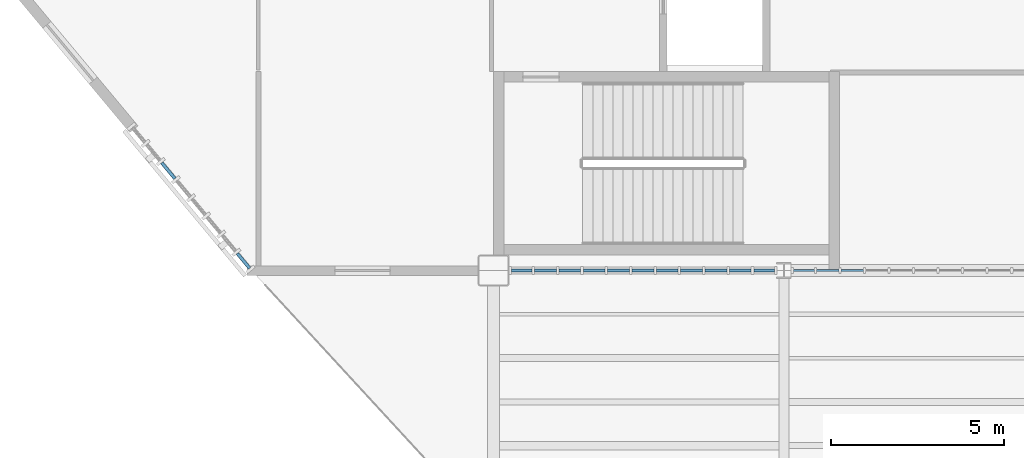
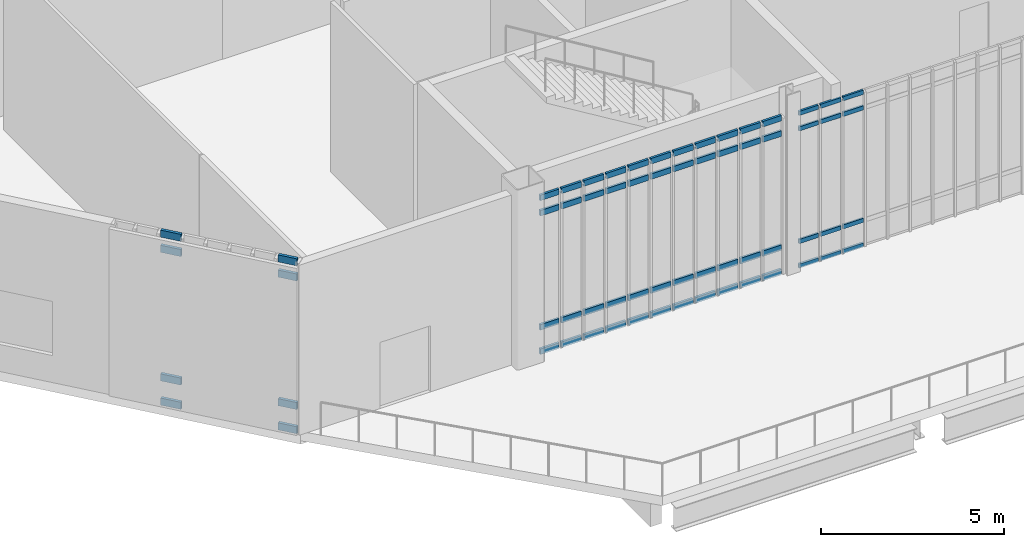
# One storey, part 43 of 135: 64 members, 3 elements without a shape of their own.
"""IFC4 building model written with IfcOpenShell, lengths in metres."""

from ifc_helpers import new_model, si_unit, direction, frame, origin, origin_2d, place, context, subcontext, project, spatial, rectangle, extrude, material, material_profile, profile_set, type_object, element, aggregate, save


model = new_model("IFC4")

# Units and contexts
model_context = context("Model", 3, precision=1e-05, world=origin(), true_north=direction((0.0, 1.0)))
body_context = subcontext(model_context, "Body", "Model", "MODEL_VIEW")
ifc_project = project(units=[si_unit("LENGTHUNIT", "METRE"), si_unit("AREAUNIT", "SQUARE_METRE"), si_unit("VOLUMEUNIT", "CUBIC_METRE"), si_unit("PLANEANGLEUNIT", "RADIAN"), si_unit("MASSUNIT", "GRAM", prefix="KILO")], contexts=[model_context])

# Site, building, storey
site_placement = place(None, origin())
site = spatial("IfcSite", under=ifc_project, at=site_placement, CompositionType="ELEMENT")
building_placement = place(site_placement, origin())
building = spatial("IfcBuilding", under=site, at=building_placement, Name="Larkvane Passage Sports Hall", CompositionType="ELEMENT")
storey_placement = place(building_placement, frame((0.0, 0.0, 10.800048828125)))
storey = spatial("IfcBuildingStorey", under=building, at=storey_placement, Name="L02", CompositionType="ELEMENT", Elevation=10.800048828125)

# Curtain wall, members
ifc_material_1 = material(Name="Thermally broken aluminium and low-E glazing", Category="aluminium")
curtain_wall_type_1 = type_object("IfcCurtainWallType", Name="CW-UNIT-COURT", PredefinedType="USERDEFINED", material=ifc_material_1)
curtain_wall_1_placement = place(storey_placement, origin())
curtain_wall_1 = element("IfcCurtainWall", 1, at=curtain_wall_1_placement, inside=storey, type_object=curtain_wall_type_1, Name="Curtain wall CW5-L02-088", ObjectType="UNITISED CURTAIN WALL", PredefinedType="USERDEFINED")
ifc_material_2 = material(Name="Anodised aluminium 6063-T6", Category="aluminium")
ifc_material_profile_1 = material_profile(ifc_material_2, rectangle(XDim=0.06494140625, YDim=0.139892578125, at=origin_2d()), Name="ALU-TRN-65x140")
ifc_profile_set_1 = profile_set([ifc_material_profile_1], Name="Anodised aluminium 6063-T6")
member_type_1 = type_object("IfcMemberType", Name="CW-TRN-65x140", PredefinedType="USERDEFINED", material=ifc_profile_set_1)
member_1_placement = place(storey_placement, frame((45.4990234375, 22.800048828125, 0.032470703125), z_axis=(-1.0, 0.0, 0.0), x_axis=(0.0, -1.0, 0.0)))
member_1 = element("IfcMember", 2, at=member_1_placement, type_object=member_type_1, Name="CW-01 transom 9.1", ObjectType="TRANSOM", PredefinedType="USERDEFINED", context=body_context, shape_type="SweptSolid", body=[
    extrude(rectangle(XDim=0.06494140625, YDim=0.139892578125, at=origin_2d()), origin(), (0.0, 0.0, 1.0), 0.64404296875),
])
member_2_placement = place(storey_placement, frame((45.4990234375, 22.800048828125, 0.849853515625), z_axis=(-1.0, 0.0, 0.0), x_axis=(0.0, -1.0, 0.0)))
member_2 = element("IfcMember", 3, at=member_2_placement, type_object=member_type_1, Name="CW-01 transom 9.2", ObjectType="TRANSOM", PredefinedType="USERDEFINED", context=body_context, shape_type="SweptSolid", body=[
    extrude(rectangle(XDim=0.06494140625, YDim=0.139892578125, at=origin_2d()), origin(), (0.0, 0.0, 1.0), 0.64404296875),
])
member_3_placement = place(storey_placement, frame((45.4990234375, 22.800048828125, 4.597900390625), z_axis=(-1.0, 0.0, 0.0), x_axis=(0.0, -1.0, 0.0)))
member_3 = element("IfcMember", 4, at=member_3_placement, type_object=member_type_1, Name="CW-01 transom 9.3", ObjectType="TRANSOM", PredefinedType="USERDEFINED", context=body_context, shape_type="SweptSolid", body=[
    extrude(rectangle(XDim=0.06494140625, YDim=0.139892578125, at=origin_2d()), origin(), (0.0, 0.0, 1.0), 0.64404296875),
])
member_4_placement = place(storey_placement, frame((45.4990234375, 22.800048828125, 5.115478515625), z_axis=(-1.0, 0.0, 0.0), x_axis=(0.0, -1.0, 0.0)))
member_4 = element("IfcMember", 5, at=member_4_placement, type_object=member_type_1, Name="CW-01 transom 9.4", ObjectType="TRANSOM", PredefinedType="USERDEFINED", context=body_context, shape_type="SweptSolid", body=[
    extrude(rectangle(XDim=0.06494140625, YDim=0.139892578125, at=origin_2d()), origin(), (0.0, 0.0, 1.0), 0.64404296875),
])
member_5_placement = place(storey_placement, frame((44.7900390625, 22.800048828125, 0.032470703125), z_axis=(-1.0, 0.0, 0.0), x_axis=(0.0, -1.0, 0.0)))
member_5 = element("IfcMember", 6, at=member_5_placement, type_object=member_type_1, Name="CW-01 transom 10.1", ObjectType="TRANSOM", PredefinedType="USERDEFINED", context=body_context, shape_type="SweptSolid", body=[
    extrude(rectangle(XDim=0.06494140625, YDim=0.139892578125, at=origin_2d()), origin(), (0.0, 0.0, 1.0), 0.64404296875),
])
member_6_placement = place(storey_placement, frame((44.7900390625, 22.800048828125, 0.849853515625), z_axis=(-1.0, 0.0, 0.0), x_axis=(0.0, -1.0, 0.0)))
member_6 = element("IfcMember", 7, at=member_6_placement, type_object=member_type_1, Name="CW-01 transom 10.2", ObjectType="TRANSOM", PredefinedType="USERDEFINED", context=body_context, shape_type="SweptSolid", body=[
    extrude(rectangle(XDim=0.06494140625, YDim=0.139892578125, at=origin_2d()), origin(), (0.0, 0.0, 1.0), 0.64404296875),
])
member_7_placement = place(storey_placement, frame((44.7900390625, 22.800048828125, 4.597900390625), z_axis=(-1.0, 0.0, 0.0), x_axis=(0.0, -1.0, 0.0)))
member_7 = element("IfcMember", 8, at=member_7_placement, type_object=member_type_1, Name="CW-01 transom 10.3", ObjectType="TRANSOM", PredefinedType="USERDEFINED", context=body_context, shape_type="SweptSolid", body=[
    extrude(rectangle(XDim=0.06494140625, YDim=0.139892578125, at=origin_2d()), origin(), (0.0, 0.0, 1.0), 0.64404296875),
])
member_8_placement = place(storey_placement, frame((44.7900390625, 22.800048828125, 5.115478515625), z_axis=(-1.0, 0.0, 0.0), x_axis=(0.0, -1.0, 0.0)))
member_8 = element("IfcMember", 9, at=member_8_placement, type_object=member_type_1, Name="CW-01 transom 10.4", ObjectType="TRANSOM", PredefinedType="USERDEFINED", context=body_context, shape_type="SweptSolid", body=[
    extrude(rectangle(XDim=0.06494140625, YDim=0.139892578125, at=origin_2d()), origin(), (0.0, 0.0, 1.0), 0.64404296875),
])
member_9_placement = place(storey_placement, frame((44.0810546875, 22.800048828125, 0.032470703125), z_axis=(-1.0, 0.0, 0.0), x_axis=(0.0, -1.0, 0.0)))
member_9 = element("IfcMember", 10, at=member_9_placement, type_object=member_type_1, Name="CW-01 transom 11.1", ObjectType="TRANSOM", PredefinedType="USERDEFINED", context=body_context, shape_type="SweptSolid", body=[
    extrude(rectangle(XDim=0.06494140625, YDim=0.139892578125, at=origin_2d()), origin(), (0.0, 0.0, 1.0), 0.611572265625),
])
member_10_placement = place(storey_placement, frame((44.0810546875, 22.800048828125, 0.849853515625), z_axis=(-1.0, 0.0, 0.0), x_axis=(0.0, -1.0, 0.0)))
member_10 = element("IfcMember", 11, at=member_10_placement, type_object=member_type_1, Name="CW-01 transom 11.2", ObjectType="TRANSOM", PredefinedType="USERDEFINED", context=body_context, shape_type="SweptSolid", body=[
    extrude(rectangle(XDim=0.06494140625, YDim=0.139892578125, at=origin_2d()), origin(), (0.0, 0.0, 1.0), 0.611572265625),
])
member_11_placement = place(storey_placement, frame((44.0810546875, 22.800048828125, 4.597900390625), z_axis=(-1.0, 0.0, 0.0), x_axis=(0.0, -1.0, 0.0)))
member_11 = element("IfcMember", 12, at=member_11_placement, type_object=member_type_1, Name="CW-01 transom 11.3", ObjectType="TRANSOM", PredefinedType="USERDEFINED", context=body_context, shape_type="SweptSolid", body=[
    extrude(rectangle(XDim=0.06494140625, YDim=0.139892578125, at=origin_2d()), origin(), (0.0, 0.0, 1.0), 0.611572265625),
])
member_12_placement = place(storey_placement, frame((44.0810546875, 22.800048828125, 5.115478515625), z_axis=(-1.0, 0.0, 0.0), x_axis=(0.0, -1.0, 0.0)))
member_12 = element("IfcMember", 13, at=member_12_placement, type_object=member_type_1, Name="CW-01 transom 11.4", ObjectType="TRANSOM", PredefinedType="USERDEFINED", context=body_context, shape_type="SweptSolid", body=[
    extrude(rectangle(XDim=0.06494140625, YDim=0.139892578125, at=origin_2d()), origin(), (0.0, 0.0, 1.0), 0.611572265625),
])
aggregate(curtain_wall_1, [member_1, member_2, member_3, member_4, member_5, member_6, member_7, member_8, member_9, member_10, member_11, member_12])

curtain_wall_type_2 = type_object("IfcCurtainWallType", Name="CW-UNIT-VEIL", PredefinedType="USERDEFINED", material=ifc_material_1)
curtain_wall_2_placement = place(storey_placement, origin())
curtain_wall_2 = element("IfcCurtainWall", 14, at=curtain_wall_2_placement, inside=storey, type_object=curtain_wall_type_2, Name="Curtain wall CW5-L02-089", ObjectType="UNITISED CURTAIN WALL", PredefinedType="USERDEFINED")
ifc_material_profile_2 = material_profile(ifc_material_2, rectangle(XDim=0.074951171875, YDim=0.18505859375, at=origin_2d()), Name="ALU-TRN-75x185")
ifc_profile_set_2 = profile_set([ifc_material_profile_2], Name="Anodised aluminium 6063-T6")
member_type_2 = type_object("IfcMemberType", Name="CW-TRN-75x185", PredefinedType="USERDEFINED", material=ifc_profile_set_2)
member_13_placement = place(storey_placement, frame((42.92041015625, 22.800048828125, 0.037353515625), z_axis=(-1.0, 0.0, 0.0), x_axis=(0.0, -1.0, 0.0)))
member_13 = element("IfcMember", 15, at=member_13_placement, type_object=member_type_2, Name="CW-02 transom 1.1", ObjectType="TRANSOM", PredefinedType="USERDEFINED", context=body_context, shape_type="SweptSolid", body=[
    extrude(rectangle(XDim=0.074951171875, YDim=0.18505859375, at=origin_2d()), origin(), (0.0, 0.0, 1.0), 0.591796875),
])
member_14_placement = place(storey_placement, frame((42.92041015625, 22.800048828125, 0.849853515625), z_axis=(-1.0, 0.0, 0.0), x_axis=(0.0, -1.0, 0.0)))
member_14 = element("IfcMember", 16, at=member_14_placement, type_object=member_type_2, Name="CW-02 transom 1.2", ObjectType="TRANSOM", PredefinedType="USERDEFINED", context=body_context, shape_type="SweptSolid", body=[
    extrude(rectangle(XDim=0.074951171875, YDim=0.18505859375, at=origin_2d()), origin(), (0.0, 0.0, 1.0), 0.591796875),
])
member_15_placement = place(storey_placement, frame((42.92041015625, 22.800048828125, 4.64794921875), z_axis=(-1.0, 0.0, 0.0), x_axis=(0.0, -1.0, 0.0)))
member_15 = element("IfcMember", 17, at=member_15_placement, type_object=member_type_2, Name="CW-02 transom 1.3", ObjectType="TRANSOM", PredefinedType="USERDEFINED", context=body_context, shape_type="SweptSolid", body=[
    extrude(rectangle(XDim=0.074951171875, YDim=0.18505859375, at=origin_2d()), origin(), (0.0, 0.0, 1.0), 0.591796875),
])
member_16_placement = place(storey_placement, frame((42.92041015625, 22.800048828125, 5.160400390625), z_axis=(-1.0, 0.0, 0.0), x_axis=(0.0, -1.0, 0.0)))
member_16 = element("IfcMember", 18, at=member_16_placement, type_object=member_type_2, Name="CW-02 transom 1.4", ObjectType="TRANSOM", PredefinedType="USERDEFINED", context=body_context, shape_type="SweptSolid", body=[
    extrude(rectangle(XDim=0.074951171875, YDim=0.18505859375, at=origin_2d()), origin(), (0.0, 0.0, 1.0), 0.591796875),
])
member_17_placement = place(storey_placement, frame((42.25341796875, 22.800048828125, 0.037353515625), z_axis=(-1.0, 0.0, 0.0), x_axis=(0.0, -1.0, 0.0)))
member_17 = element("IfcMember", 19, at=member_17_placement, type_object=member_type_2, Name="CW-02 transom 2.1", ObjectType="TRANSOM", PredefinedType="USERDEFINED", context=body_context, shape_type="SweptSolid", body=[
    extrude(rectangle(XDim=0.074951171875, YDim=0.18505859375, at=origin_2d()), origin(), (0.0, 0.0, 1.0), 0.62939453125),
])
member_18_placement = place(storey_placement, frame((42.25341796875, 22.800048828125, 0.849853515625), z_axis=(-1.0, 0.0, 0.0), x_axis=(0.0, -1.0, 0.0)))
member_18 = element("IfcMember", 20, at=member_18_placement, type_object=member_type_2, Name="CW-02 transom 2.2", ObjectType="TRANSOM", PredefinedType="USERDEFINED", context=body_context, shape_type="SweptSolid", body=[
    extrude(rectangle(XDim=0.074951171875, YDim=0.18505859375, at=origin_2d()), origin(), (0.0, 0.0, 1.0), 0.62939453125),
])
member_19_placement = place(storey_placement, frame((42.25341796875, 22.800048828125, 4.64794921875), z_axis=(-1.0, 0.0, 0.0), x_axis=(0.0, -1.0, 0.0)))
member_19 = element("IfcMember", 21, at=member_19_placement, type_object=member_type_2, Name="CW-02 transom 2.3", ObjectType="TRANSOM", PredefinedType="USERDEFINED", context=body_context, shape_type="SweptSolid", body=[
    extrude(rectangle(XDim=0.074951171875, YDim=0.18505859375, at=origin_2d()), origin(), (0.0, 0.0, 1.0), 0.62939453125),
])
member_20_placement = place(storey_placement, frame((42.25341796875, 22.800048828125, 5.160400390625), z_axis=(-1.0, 0.0, 0.0), x_axis=(0.0, -1.0, 0.0)))
member_20 = element("IfcMember", 22, at=member_20_placement, type_object=member_type_2, Name="CW-02 transom 2.4", ObjectType="TRANSOM", PredefinedType="USERDEFINED", context=body_context, shape_type="SweptSolid", body=[
    extrude(rectangle(XDim=0.074951171875, YDim=0.18505859375, at=origin_2d()), origin(), (0.0, 0.0, 1.0), 0.62939453125),
])
member_21_placement = place(storey_placement, frame((41.549072265625, 22.800048828125, 0.037353515625), z_axis=(-1.0, 0.0, 0.0), x_axis=(0.0, -1.0, 0.0)))
member_21 = element("IfcMember", 23, at=member_21_placement, type_object=member_type_2, Name="CW-02 transom 3.1", ObjectType="TRANSOM", PredefinedType="USERDEFINED", context=body_context, shape_type="SweptSolid", body=[
    extrude(rectangle(XDim=0.074951171875, YDim=0.18505859375, at=origin_2d()), origin(), (0.0, 0.0, 1.0), 0.629638671875),
])
member_22_placement = place(storey_placement, frame((41.549072265625, 22.800048828125, 0.849853515625), z_axis=(-1.0, 0.0, 0.0), x_axis=(0.0, -1.0, 0.0)))
member_22 = element("IfcMember", 24, at=member_22_placement, type_object=member_type_2, Name="CW-02 transom 3.2", ObjectType="TRANSOM", PredefinedType="USERDEFINED", context=body_context, shape_type="SweptSolid", body=[
    extrude(rectangle(XDim=0.074951171875, YDim=0.18505859375, at=origin_2d()), origin(), (0.0, 0.0, 1.0), 0.629638671875),
])
member_23_placement = place(storey_placement, frame((41.549072265625, 22.800048828125, 4.64794921875), z_axis=(-1.0, 0.0, 0.0), x_axis=(0.0, -1.0, 0.0)))
member_23 = element("IfcMember", 25, at=member_23_placement, type_object=member_type_2, Name="CW-02 transom 3.3", ObjectType="TRANSOM", PredefinedType="USERDEFINED", context=body_context, shape_type="SweptSolid", body=[
    extrude(rectangle(XDim=0.074951171875, YDim=0.18505859375, at=origin_2d()), origin(), (0.0, 0.0, 1.0), 0.629638671875),
])
member_24_placement = place(storey_placement, frame((41.549072265625, 22.800048828125, 5.160400390625), z_axis=(-1.0, 0.0, 0.0), x_axis=(0.0, -1.0, 0.0)))
member_24 = element("IfcMember", 26, at=member_24_placement, type_object=member_type_2, Name="CW-02 transom 3.4", ObjectType="TRANSOM", PredefinedType="USERDEFINED", context=body_context, shape_type="SweptSolid", body=[
    extrude(rectangle(XDim=0.074951171875, YDim=0.18505859375, at=origin_2d()), origin(), (0.0, 0.0, 1.0), 0.629638671875),
])
member_25_placement = place(storey_placement, frame((40.844482421875, 22.800048828125, 0.037353515625), z_axis=(-1.0, 0.0, 0.0), x_axis=(0.0, -1.0, 0.0)))
member_25 = element("IfcMember", 27, at=member_25_placement, type_object=member_type_2, Name="CW-02 transom 4.1", ObjectType="TRANSOM", PredefinedType="USERDEFINED", context=body_context, shape_type="SweptSolid", body=[
    extrude(rectangle(XDim=0.074951171875, YDim=0.18505859375, at=origin_2d()), origin(), (0.0, 0.0, 1.0), 0.62939453125),
])
member_26_placement = place(storey_placement, frame((40.844482421875, 22.800048828125, 0.849853515625), z_axis=(-1.0, 0.0, 0.0), x_axis=(0.0, -1.0, 0.0)))
member_26 = element("IfcMember", 28, at=member_26_placement, type_object=member_type_2, Name="CW-02 transom 4.2", ObjectType="TRANSOM", PredefinedType="USERDEFINED", context=body_context, shape_type="SweptSolid", body=[
    extrude(rectangle(XDim=0.074951171875, YDim=0.18505859375, at=origin_2d()), origin(), (0.0, 0.0, 1.0), 0.62939453125),
])
member_27_placement = place(storey_placement, frame((40.844482421875, 22.800048828125, 4.64794921875), z_axis=(-1.0, 0.0, 0.0), x_axis=(0.0, -1.0, 0.0)))
member_27 = element("IfcMember", 29, at=member_27_placement, type_object=member_type_2, Name="CW-02 transom 4.3", ObjectType="TRANSOM", PredefinedType="USERDEFINED", context=body_context, shape_type="SweptSolid", body=[
    extrude(rectangle(XDim=0.074951171875, YDim=0.18505859375, at=origin_2d()), origin(), (0.0, 0.0, 1.0), 0.62939453125),
])
member_28_placement = place(storey_placement, frame((40.844482421875, 22.800048828125, 5.160400390625), z_axis=(-1.0, 0.0, 0.0), x_axis=(0.0, -1.0, 0.0)))
member_28 = element("IfcMember", 30, at=member_28_placement, type_object=member_type_2, Name="CW-02 transom 4.4", ObjectType="TRANSOM", PredefinedType="USERDEFINED", context=body_context, shape_type="SweptSolid", body=[
    extrude(rectangle(XDim=0.074951171875, YDim=0.18505859375, at=origin_2d()), origin(), (0.0, 0.0, 1.0), 0.62939453125),
])
member_29_placement = place(storey_placement, frame((40.139892578125, 22.800048828125, 0.037353515625), z_axis=(-1.0, 0.0, 0.0), x_axis=(0.0, -1.0, 0.0)))
member_29 = element("IfcMember", 31, at=member_29_placement, type_object=member_type_2, Name="CW-02 transom 5.1", ObjectType="TRANSOM", PredefinedType="USERDEFINED", context=body_context, shape_type="SweptSolid", body=[
    extrude(rectangle(XDim=0.074951171875, YDim=0.18505859375, at=origin_2d()), origin(), (0.0, 0.0, 1.0), 0.62939453125),
])
member_30_placement = place(storey_placement, frame((40.139892578125, 22.800048828125, 0.849853515625), z_axis=(-1.0, 0.0, 0.0), x_axis=(0.0, -1.0, 0.0)))
member_30 = element("IfcMember", 32, at=member_30_placement, type_object=member_type_2, Name="CW-02 transom 5.2", ObjectType="TRANSOM", PredefinedType="USERDEFINED", context=body_context, shape_type="SweptSolid", body=[
    extrude(rectangle(XDim=0.074951171875, YDim=0.18505859375, at=origin_2d()), origin(), (0.0, 0.0, 1.0), 0.62939453125),
])
member_31_placement = place(storey_placement, frame((40.139892578125, 22.800048828125, 4.64794921875), z_axis=(-1.0, 0.0, 0.0), x_axis=(0.0, -1.0, 0.0)))
member_31 = element("IfcMember", 33, at=member_31_placement, type_object=member_type_2, Name="CW-02 transom 5.3", ObjectType="TRANSOM", PredefinedType="USERDEFINED", context=body_context, shape_type="SweptSolid", body=[
    extrude(rectangle(XDim=0.074951171875, YDim=0.18505859375, at=origin_2d()), origin(), (0.0, 0.0, 1.0), 0.62939453125),
])
member_32_placement = place(storey_placement, frame((40.139892578125, 22.800048828125, 5.160400390625), z_axis=(-1.0, 0.0, 0.0), x_axis=(0.0, -1.0, 0.0)))
member_32 = element("IfcMember", 34, at=member_32_placement, type_object=member_type_2, Name="CW-02 transom 5.4", ObjectType="TRANSOM", PredefinedType="USERDEFINED", context=body_context, shape_type="SweptSolid", body=[
    extrude(rectangle(XDim=0.074951171875, YDim=0.18505859375, at=origin_2d()), origin(), (0.0, 0.0, 1.0), 0.62939453125),
])
member_33_placement = place(storey_placement, frame((39.435546875, 22.800048828125, 0.037353515625), z_axis=(-1.0, 0.0, 0.0), x_axis=(0.0, -1.0, 0.0)))
member_33 = element("IfcMember", 35, at=member_33_placement, type_object=member_type_2, Name="CW-02 transom 6.1", ObjectType="TRANSOM", PredefinedType="USERDEFINED", context=body_context, shape_type="SweptSolid", body=[
    extrude(rectangle(XDim=0.074951171875, YDim=0.18505859375, at=origin_2d()), origin(), (0.0, 0.0, 1.0), 0.629638671875),
])
member_34_placement = place(storey_placement, frame((39.435546875, 22.800048828125, 0.849853515625), z_axis=(-1.0, 0.0, 0.0), x_axis=(0.0, -1.0, 0.0)))
member_34 = element("IfcMember", 36, at=member_34_placement, type_object=member_type_2, Name="CW-02 transom 6.2", ObjectType="TRANSOM", PredefinedType="USERDEFINED", context=body_context, shape_type="SweptSolid", body=[
    extrude(rectangle(XDim=0.074951171875, YDim=0.18505859375, at=origin_2d()), origin(), (0.0, 0.0, 1.0), 0.629638671875),
])
member_35_placement = place(storey_placement, frame((39.435546875, 22.800048828125, 4.64794921875), z_axis=(-1.0, 0.0, 0.0), x_axis=(0.0, -1.0, 0.0)))
member_35 = element("IfcMember", 37, at=member_35_placement, type_object=member_type_2, Name="CW-02 transom 6.3", ObjectType="TRANSOM", PredefinedType="USERDEFINED", context=body_context, shape_type="SweptSolid", body=[
    extrude(rectangle(XDim=0.074951171875, YDim=0.18505859375, at=origin_2d()), origin(), (0.0, 0.0, 1.0), 0.629638671875),
])
member_36_placement = place(storey_placement, frame((39.435546875, 22.800048828125, 5.160400390625), z_axis=(-1.0, 0.0, 0.0), x_axis=(0.0, -1.0, 0.0)))
member_36 = element("IfcMember", 38, at=member_36_placement, type_object=member_type_2, Name="CW-02 transom 6.4", ObjectType="TRANSOM", PredefinedType="USERDEFINED", context=body_context, shape_type="SweptSolid", body=[
    extrude(rectangle(XDim=0.074951171875, YDim=0.18505859375, at=origin_2d()), origin(), (0.0, 0.0, 1.0), 0.629638671875),
])
member_37_placement = place(storey_placement, frame((38.73095703125, 22.800048828125, 0.037353515625), z_axis=(-1.0, 0.0, 0.0), x_axis=(0.0, -1.0, 0.0)))
member_37 = element("IfcMember", 39, at=member_37_placement, type_object=member_type_2, Name="CW-02 transom 7.1", ObjectType="TRANSOM", PredefinedType="USERDEFINED", context=body_context, shape_type="SweptSolid", body=[
    extrude(rectangle(XDim=0.074951171875, YDim=0.18505859375, at=origin_2d()), origin(), (0.0, 0.0, 1.0), 0.62939453125),
])
member_38_placement = place(storey_placement, frame((38.73095703125, 22.800048828125, 0.849853515625), z_axis=(-1.0, 0.0, 0.0), x_axis=(0.0, -1.0, 0.0)))
member_38 = element("IfcMember", 40, at=member_38_placement, type_object=member_type_2, Name="CW-02 transom 7.2", ObjectType="TRANSOM", PredefinedType="USERDEFINED", context=body_context, shape_type="SweptSolid", body=[
    extrude(rectangle(XDim=0.074951171875, YDim=0.18505859375, at=origin_2d()), origin(), (0.0, 0.0, 1.0), 0.62939453125),
])
member_39_placement = place(storey_placement, frame((38.73095703125, 22.800048828125, 4.64794921875), z_axis=(-1.0, 0.0, 0.0), x_axis=(0.0, -1.0, 0.0)))
member_39 = element("IfcMember", 41, at=member_39_placement, type_object=member_type_2, Name="CW-02 transom 7.3", ObjectType="TRANSOM", PredefinedType="USERDEFINED", context=body_context, shape_type="SweptSolid", body=[
    extrude(rectangle(XDim=0.074951171875, YDim=0.18505859375, at=origin_2d()), origin(), (0.0, 0.0, 1.0), 0.62939453125),
])
member_40_placement = place(storey_placement, frame((38.73095703125, 22.800048828125, 5.160400390625), z_axis=(-1.0, 0.0, 0.0), x_axis=(0.0, -1.0, 0.0)))
member_40 = element("IfcMember", 42, at=member_40_placement, type_object=member_type_2, Name="CW-02 transom 7.4", ObjectType="TRANSOM", PredefinedType="USERDEFINED", context=body_context, shape_type="SweptSolid", body=[
    extrude(rectangle(XDim=0.074951171875, YDim=0.18505859375, at=origin_2d()), origin(), (0.0, 0.0, 1.0), 0.62939453125),
])
member_41_placement = place(storey_placement, frame((38.026611328125, 22.800048828125, 0.037353515625), z_axis=(-1.0, 0.0, 0.0), x_axis=(0.0, -1.0, 0.0)))
member_41 = element("IfcMember", 43, at=member_41_placement, type_object=member_type_2, Name="CW-02 transom 8.1", ObjectType="TRANSOM", PredefinedType="USERDEFINED", context=body_context, shape_type="SweptSolid", body=[
    extrude(rectangle(XDim=0.074951171875, YDim=0.18505859375, at=origin_2d()), origin(), (0.0, 0.0, 1.0), 0.629638671875),
])
member_42_placement = place(storey_placement, frame((38.026611328125, 22.800048828125, 0.849853515625), z_axis=(-1.0, 0.0, 0.0), x_axis=(0.0, -1.0, 0.0)))
member_42 = element("IfcMember", 44, at=member_42_placement, type_object=member_type_2, Name="CW-02 transom 8.2", ObjectType="TRANSOM", PredefinedType="USERDEFINED", context=body_context, shape_type="SweptSolid", body=[
    extrude(rectangle(XDim=0.074951171875, YDim=0.18505859375, at=origin_2d()), origin(), (0.0, 0.0, 1.0), 0.629638671875),
])
member_43_placement = place(storey_placement, frame((38.026611328125, 22.800048828125, 4.64794921875), z_axis=(-1.0, 0.0, 0.0), x_axis=(0.0, -1.0, 0.0)))
member_43 = element("IfcMember", 45, at=member_43_placement, type_object=member_type_2, Name="CW-02 transom 8.3", ObjectType="TRANSOM", PredefinedType="USERDEFINED", context=body_context, shape_type="SweptSolid", body=[
    extrude(rectangle(XDim=0.074951171875, YDim=0.18505859375, at=origin_2d()), origin(), (0.0, 0.0, 1.0), 0.629638671875),
])
member_44_placement = place(storey_placement, frame((38.026611328125, 22.800048828125, 5.160400390625), z_axis=(-1.0, 0.0, 0.0), x_axis=(0.0, -1.0, 0.0)))
member_44 = element("IfcMember", 46, at=member_44_placement, type_object=member_type_2, Name="CW-02 transom 8.4", ObjectType="TRANSOM", PredefinedType="USERDEFINED", context=body_context, shape_type="SweptSolid", body=[
    extrude(rectangle(XDim=0.074951171875, YDim=0.18505859375, at=origin_2d()), origin(), (0.0, 0.0, 1.0), 0.629638671875),
])
member_45_placement = place(storey_placement, frame((37.322021484375, 22.800048828125, 0.037353515625), z_axis=(-1.0, 0.0, 0.0), x_axis=(0.0, -1.0, 0.0)))
member_45 = element("IfcMember", 47, at=member_45_placement, type_object=member_type_2, Name="CW-02 transom 9.1", ObjectType="TRANSOM", PredefinedType="USERDEFINED", context=body_context, shape_type="SweptSolid", body=[
    extrude(rectangle(XDim=0.074951171875, YDim=0.18505859375, at=origin_2d()), origin(), (0.0, 0.0, 1.0), 0.629638671875),
])
member_46_placement = place(storey_placement, frame((37.322021484375, 22.800048828125, 0.849853515625), z_axis=(-1.0, 0.0, 0.0), x_axis=(0.0, -1.0, 0.0)))
member_46 = element("IfcMember", 48, at=member_46_placement, type_object=member_type_2, Name="CW-02 transom 9.2", ObjectType="TRANSOM", PredefinedType="USERDEFINED", context=body_context, shape_type="SweptSolid", body=[
    extrude(rectangle(XDim=0.074951171875, YDim=0.18505859375, at=origin_2d()), origin(), (0.0, 0.0, 1.0), 0.629638671875),
])
member_47_placement = place(storey_placement, frame((37.322021484375, 22.800048828125, 4.64794921875), z_axis=(-1.0, 0.0, 0.0), x_axis=(0.0, -1.0, 0.0)))
member_47 = element("IfcMember", 49, at=member_47_placement, type_object=member_type_2, Name="CW-02 transom 9.3", ObjectType="TRANSOM", PredefinedType="USERDEFINED", context=body_context, shape_type="SweptSolid", body=[
    extrude(rectangle(XDim=0.074951171875, YDim=0.18505859375, at=origin_2d()), origin(), (0.0, 0.0, 1.0), 0.629638671875),
])
member_48_placement = place(storey_placement, frame((37.322021484375, 22.800048828125, 5.160400390625), z_axis=(-1.0, 0.0, 0.0), x_axis=(0.0, -1.0, 0.0)))
member_48 = element("IfcMember", 50, at=member_48_placement, type_object=member_type_2, Name="CW-02 transom 9.4", ObjectType="TRANSOM", PredefinedType="USERDEFINED", context=body_context, shape_type="SweptSolid", body=[
    extrude(rectangle(XDim=0.074951171875, YDim=0.18505859375, at=origin_2d()), origin(), (0.0, 0.0, 1.0), 0.629638671875),
])
member_49_placement = place(storey_placement, frame((36.617431640625, 22.800048828125, 0.037353515625), z_axis=(-1.0, 0.0, 0.0), x_axis=(0.0, -1.0, 0.0)))
member_49 = element("IfcMember", 51, at=member_49_placement, type_object=member_type_2, Name="CW-02 transom 10.1", ObjectType="TRANSOM", PredefinedType="USERDEFINED", context=body_context, shape_type="SweptSolid", body=[
    extrude(rectangle(XDim=0.074951171875, YDim=0.18505859375, at=origin_2d()), origin(), (0.0, 0.0, 1.0), 0.62939453125),
])
member_50_placement = place(storey_placement, frame((36.617431640625, 22.800048828125, 0.849853515625), z_axis=(-1.0, 0.0, 0.0), x_axis=(0.0, -1.0, 0.0)))
member_50 = element("IfcMember", 52, at=member_50_placement, type_object=member_type_2, Name="CW-02 transom 10.2", ObjectType="TRANSOM", PredefinedType="USERDEFINED", context=body_context, shape_type="SweptSolid", body=[
    extrude(rectangle(XDim=0.074951171875, YDim=0.18505859375, at=origin_2d()), origin(), (0.0, 0.0, 1.0), 0.62939453125),
])
member_51_placement = place(storey_placement, frame((36.617431640625, 22.800048828125, 4.64794921875), z_axis=(-1.0, 0.0, 0.0), x_axis=(0.0, -1.0, 0.0)))
member_51 = element("IfcMember", 53, at=member_51_placement, type_object=member_type_2, Name="CW-02 transom 10.3", ObjectType="TRANSOM", PredefinedType="USERDEFINED", context=body_context, shape_type="SweptSolid", body=[
    extrude(rectangle(XDim=0.074951171875, YDim=0.18505859375, at=origin_2d()), origin(), (0.0, 0.0, 1.0), 0.62939453125),
])
member_52_placement = place(storey_placement, frame((36.617431640625, 22.800048828125, 5.160400390625), z_axis=(-1.0, 0.0, 0.0), x_axis=(0.0, -1.0, 0.0)))
member_52 = element("IfcMember", 54, at=member_52_placement, type_object=member_type_2, Name="CW-02 transom 10.4", ObjectType="TRANSOM", PredefinedType="USERDEFINED", context=body_context, shape_type="SweptSolid", body=[
    extrude(rectangle(XDim=0.074951171875, YDim=0.18505859375, at=origin_2d()), origin(), (0.0, 0.0, 1.0), 0.62939453125),
])
member_53_placement = place(storey_placement, frame((35.9130859375, 22.800048828125, 0.037353515625), z_axis=(-1.0, 0.0, 0.0), x_axis=(0.0, -1.0, 0.0)))
member_53 = element("IfcMember", 55, at=member_53_placement, type_object=member_type_2, Name="CW-02 transom 11.1", ObjectType="TRANSOM", PredefinedType="USERDEFINED", context=body_context, shape_type="SweptSolid", body=[
    extrude(rectangle(XDim=0.074951171875, YDim=0.18505859375, at=origin_2d()), origin(), (0.0, 0.0, 1.0), 0.592041015625),
])
member_54_placement = place(storey_placement, frame((35.9130859375, 22.800048828125, 0.849853515625), z_axis=(-1.0, 0.0, 0.0), x_axis=(0.0, -1.0, 0.0)))
member_54 = element("IfcMember", 56, at=member_54_placement, type_object=member_type_2, Name="CW-02 transom 11.2", ObjectType="TRANSOM", PredefinedType="USERDEFINED", context=body_context, shape_type="SweptSolid", body=[
    extrude(rectangle(XDim=0.074951171875, YDim=0.18505859375, at=origin_2d()), origin(), (0.0, 0.0, 1.0), 0.592041015625),
])
member_55_placement = place(storey_placement, frame((35.9130859375, 22.800048828125, 4.64794921875), z_axis=(-1.0, 0.0, 0.0), x_axis=(0.0, -1.0, 0.0)))
member_55 = element("IfcMember", 57, at=member_55_placement, type_object=member_type_2, Name="CW-02 transom 11.3", ObjectType="TRANSOM", PredefinedType="USERDEFINED", context=body_context, shape_type="SweptSolid", body=[
    extrude(rectangle(XDim=0.074951171875, YDim=0.18505859375, at=origin_2d()), origin(), (0.0, 0.0, 1.0), 0.592041015625),
])
member_56_placement = place(storey_placement, frame((35.9130859375, 22.800048828125, 5.160400390625), z_axis=(-1.0, 0.0, 0.0), x_axis=(0.0, -1.0, 0.0)))
member_56 = element("IfcMember", 58, at=member_56_placement, type_object=member_type_2, Name="CW-02 transom 11.4", ObjectType="TRANSOM", PredefinedType="USERDEFINED", context=body_context, shape_type="SweptSolid", body=[
    extrude(rectangle(XDim=0.074951171875, YDim=0.18505859375, at=origin_2d()), origin(), (0.0, 0.0, 1.0), 0.592041015625),
])
aggregate(curtain_wall_2, [member_13, member_14, member_15, member_16, member_17, member_18, member_19, member_20, member_21, member_22, member_23, member_24, member_25, member_26, member_27, member_28, member_29, member_30, member_31, member_32, member_33, member_34, member_35, member_36, member_37, member_38, member_39, member_40, member_41, member_42, member_43, member_44, member_45, member_46, member_47, member_48, member_49, member_50, member_51, member_52, member_53, member_54, member_55, member_56])

curtain_wall_type_3 = type_object("IfcCurtainWallType", Name="CW-STICK-FOYER", PredefinedType="USERDEFINED", material=ifc_material_1)
curtain_wall_3_placement = place(storey_placement, origin())
curtain_wall_3 = element("IfcCurtainWall", 59, at=curtain_wall_3_placement, inside=storey, type_object=curtain_wall_type_3, Name="Curtain wall CW5-L02-090", ObjectType="STICK CURTAIN WALL", PredefinedType="USERDEFINED")
ifc_material_profile_3 = material_profile(ifc_material_2, rectangle(XDim=0.090087890625, YDim=0.235107421875, at=origin_2d()), Name="ALU-TRN-90x235")
ifc_profile_set_3 = profile_set([ifc_material_profile_3], Name="Anodised aluminium 6063-T6")
member_type_3 = type_object("IfcMemberType", Name="CW-TRN-90x235", PredefinedType="USERDEFINED", material=ifc_profile_set_3)
member_57_placement = place(storey_placement, frame((27.742431640625, 22.869140625, 0.044921875), z_axis=(-0.640096828963, 0.768294246725, 0.0), x_axis=(-0.768294246725, -0.640096828963, 0.0)))
member_57 = element("IfcMember", 60, at=member_57_placement, type_object=member_type_3, Name="CW-03 transom 1.1", ObjectType="TRANSOM", PredefinedType="USERDEFINED", context=body_context, shape_type="SweptSolid", body=[
    extrude(rectangle(XDim=0.090087890625, YDim=0.235107421875, at=origin_2d()), origin(), (0.0, 0.0, 1.0), 0.548583984375),
])
member_58_placement = place(storey_placement, frame((27.742431640625, 22.869140625, 0.849853515625), z_axis=(-0.640096828963, 0.768294246725, 0.0), x_axis=(-0.768294246725, -0.640096828963, 0.0)))
member_58 = element("IfcMember", 61, at=member_58_placement, type_object=member_type_3, Name="CW-03 transom 1.2", ObjectType="TRANSOM", PredefinedType="USERDEFINED", context=body_context, shape_type="SweptSolid", body=[
    extrude(rectangle(XDim=0.090087890625, YDim=0.235107421875, at=origin_2d()), origin(), (0.0, 0.0, 1.0), 0.548583984375),
])
member_59_placement = place(storey_placement, frame((27.742431640625, 22.869140625, 5.1298828125), z_axis=(-0.640096828963, 0.768294246725, 0.0), x_axis=(-0.768294246725, -0.640096828963, 0.0)))
member_59 = element("IfcMember", 62, at=member_59_placement, type_object=member_type_3, Name="CW-03 transom 1.3", ObjectType="TRANSOM", PredefinedType="USERDEFINED", context=body_context, shape_type="SweptSolid", body=[
    extrude(rectangle(XDim=0.090087890625, YDim=0.235107421875, at=origin_2d()), origin(), (0.0, 0.0, 1.0), 0.548583984375),
])
member_60_placement = place(storey_placement, frame((27.742431640625, 22.869140625, 5.635009765625), z_axis=(-0.640096828963, 0.768294246725, 0.0), x_axis=(-0.768294246725, -0.640096828963, 0.0)))
member_60 = element("IfcMember", 63, at=member_60_placement, type_object=member_type_3, Name="CW-03 transom 1.4", ObjectType="TRANSOM", PredefinedType="USERDEFINED", context=body_context, shape_type="SweptSolid", body=[
    extrude(rectangle(XDim=0.090087890625, YDim=0.235107421875, at=origin_2d()), origin(), (0.0, 0.0, 1.0), 0.548583984375),
])
member_61_placement = place(storey_placement, frame((25.583740234375, 25.45947265625, 0.044921875), z_axis=(-0.640022552457, 0.768356123387, 0.0), x_axis=(-0.768356123387, -0.640022552457, 0.0)))
member_61 = element("IfcMember", 64, at=member_61_placement, type_object=member_type_3, Name="CW-03 transom 6.1", ObjectType="TRANSOM", PredefinedType="USERDEFINED", context=body_context, shape_type="SweptSolid", body=[
    extrude(rectangle(XDim=0.090087890625, YDim=0.235107421875, at=origin_2d()), origin(), (0.0, 0.0, 1.0), 0.593505859375),
])
member_62_placement = place(storey_placement, frame((25.583740234375, 25.45947265625, 0.849853515625), z_axis=(-0.640022552457, 0.768356123387, 0.0), x_axis=(-0.768356123387, -0.640022552457, 0.0)))
member_62 = element("IfcMember", 65, at=member_62_placement, type_object=member_type_3, Name="CW-03 transom 6.2", ObjectType="TRANSOM", PredefinedType="USERDEFINED", context=body_context, shape_type="SweptSolid", body=[
    extrude(rectangle(XDim=0.090087890625, YDim=0.235107421875, at=origin_2d()), origin(), (0.0, 0.0, 1.0), 0.593505859375),
])
member_63_placement = place(storey_placement, frame((25.583740234375, 25.45947265625, 5.1298828125), z_axis=(-0.640022552457, 0.768356123387, 0.0), x_axis=(-0.768356123387, -0.640022552457, 0.0)))
member_63 = element("IfcMember", 66, at=member_63_placement, type_object=member_type_3, Name="CW-03 transom 6.3", ObjectType="TRANSOM", PredefinedType="USERDEFINED", context=body_context, shape_type="SweptSolid", body=[
    extrude(rectangle(XDim=0.090087890625, YDim=0.235107421875, at=origin_2d()), origin(), (0.0, 0.0, 1.0), 0.593505859375),
])
member_64_placement = place(storey_placement, frame((25.583740234375, 25.45947265625, 5.635009765625), z_axis=(-0.640022552457, 0.768356123387, 0.0), x_axis=(-0.768356123387, -0.640022552457, 0.0)))
member_64 = element("IfcMember", 67, at=member_64_placement, type_object=member_type_3, Name="CW-03 transom 6.4", ObjectType="TRANSOM", PredefinedType="USERDEFINED", context=body_context, shape_type="SweptSolid", body=[
    extrude(rectangle(XDim=0.090087890625, YDim=0.235107421875, at=origin_2d()), origin(), (0.0, 0.0, 1.0), 0.593505859375),
])
aggregate(curtain_wall_3, [member_57, member_58, member_59, member_60, member_61, member_62, member_63, member_64])

save(model, "model.ifc")
